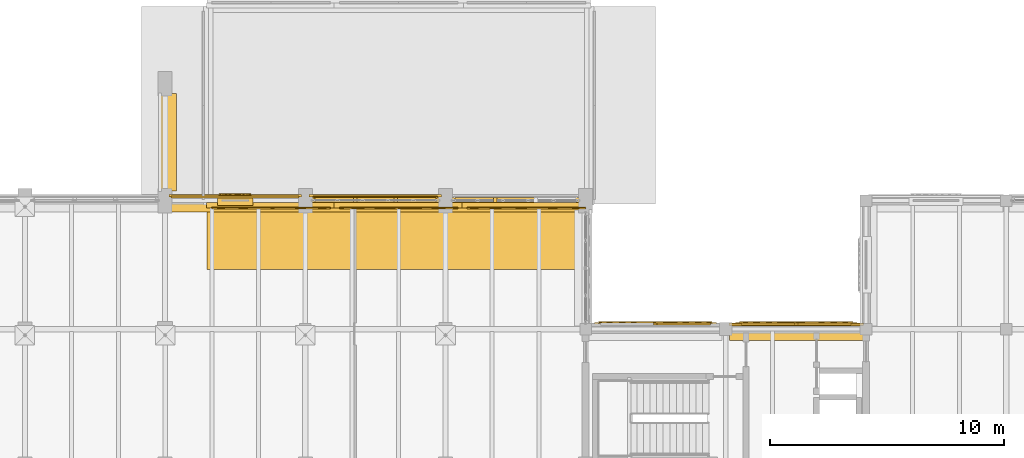
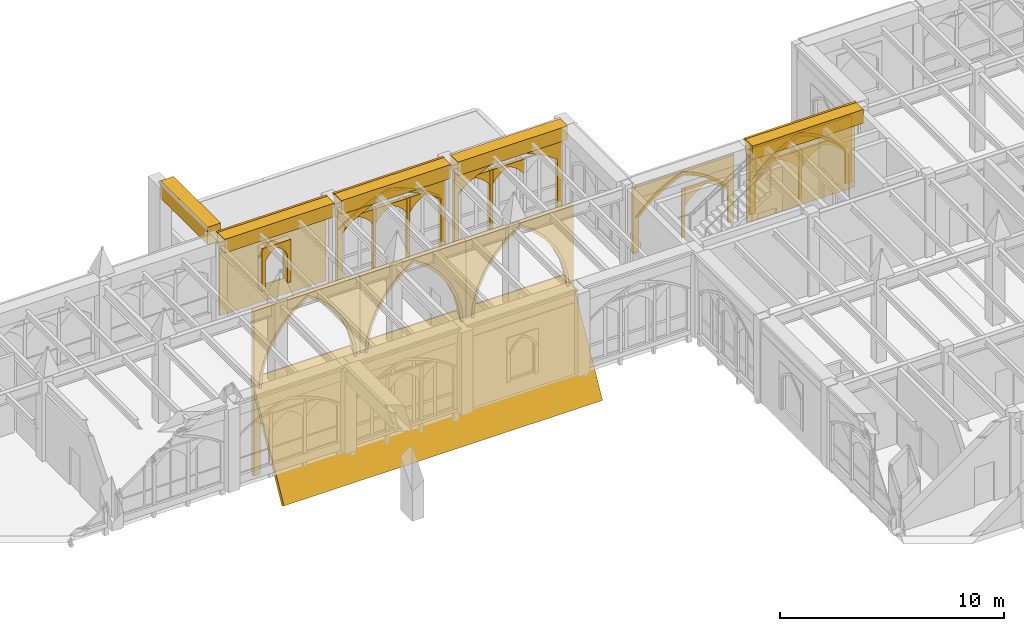
# One storey, part 134 of 143: 39 coverings.
"""IFC4 building model written with IfcOpenShell, lengths in metres."""

from ifc_helpers import new_model, si_unit, direction, frame, origin, origin_2d, place, context, subcontext, project, spatial, polyline, rectangle, outline, extrude, material, type_object, element, save


model = new_model("IFC4")

# Units and contexts
model_context = context("Model", 3, precision=1e-05, world=origin(), true_north=direction((0.0, 1.0)))
body_context = subcontext(model_context, "Body", "Model", "MODEL_VIEW")
ifc_project = project(units=[si_unit("LENGTHUNIT", "METRE"), si_unit("AREAUNIT", "SQUARE_METRE"), si_unit("VOLUMEUNIT", "CUBIC_METRE"), si_unit("PLANEANGLEUNIT", "RADIAN"), si_unit("MASSUNIT", "GRAM", prefix="KILO")], contexts=[model_context])

# Site, building, storey
site_placement = place(None, origin())
site = spatial("IfcSite", under=ifc_project, at=site_placement, CompositionType="ELEMENT")
building_placement = place(site_placement, origin())
building = spatial("IfcBuilding", under=site, at=building_placement, Name="Cumevento Cable Car Station", CompositionType="ELEMENT")
storey_placement = place(building_placement, frame((0.0, 0.0, 9.0)))
storey = spatial("IfcBuildingStorey", under=building, at=storey_placement, Name="L03", CompositionType="ELEMENT", Elevation=9.0)

# Coverings
ifc_material = material(Name="Gnaisse Facoidal Stone Ashlar 85 MPa", Category="masonry")
covering_type = type_object("IfcCoveringType", Name="Gnaisse Ashlar Cladding CV-CL01", PredefinedType="CLADDING", material=ifc_material)
covering_1_placement = place(storey_placement, frame((103.0, 56.35009765625, 3.784912109375), z_axis=(0.0, 0.0, 1.0), x_axis=(1.0, 0.0, 0.0)))
element("IfcCovering", 1, at=covering_1_placement, inside=storey, type_object=covering_type, Name="Gothic Stone Spandrel Stringcourse sc:0654", PredefinedType="CLADDING", context=body_context, shape_type="SweptSolid", body=[
    extrude(rectangle(XDim=5.639892578125, YDim=0.659912109375, at=origin_2d()), origin(), (0.0, 0.0, 1.0), 0.7470703125),
])
covering_2_placement = place(storey_placement, frame((103.0, 56.70751953125, 4.402099609375), z_axis=(0.0, 0.0, 1.0), x_axis=(1.0, 0.0, 0.0)))
element("IfcCovering", 2, at=covering_2_placement, inside=storey, type_object=covering_type, Name="Gothic Cornice Dripstone Lip sc:0654", PredefinedType="CLADDING", context=body_context, shape_type="SweptSolid", body=[
    extrude(rectangle(XDim=5.679931640625, YDim=0.114990234375, at=origin_2d()), origin(), (0.0, 0.0, 1.0), 0.1298828125),
])
covering_3_placement = place(storey_placement, frame((109.0, 56.35009765625, 3.784912109375), z_axis=(0.0, 0.0, 1.0), x_axis=(1.0, 0.0, 0.0)))
element("IfcCovering", 3, at=covering_3_placement, inside=storey, type_object=covering_type, Name="Gothic Stone Spandrel Stringcourse sc:0655", PredefinedType="CLADDING", context=body_context, shape_type="SweptSolid", body=[
    extrude(rectangle(XDim=5.639892578125, YDim=0.659912109375, at=origin_2d()), origin(), (0.0, 0.0, 1.0), 0.7470703125),
])
covering_4_placement = place(storey_placement, frame((109.0, 56.70751953125, 4.402099609375), z_axis=(0.0, 0.0, 1.0), x_axis=(1.0, 0.0, 0.0)))
element("IfcCovering", 4, at=covering_4_placement, inside=storey, type_object=covering_type, Name="Gothic Cornice Dripstone Lip sc:0655", PredefinedType="CLADDING", context=body_context, shape_type="SweptSolid", body=[
    extrude(rectangle(XDim=5.679931640625, YDim=0.114990234375, at=origin_2d()), origin(), (0.0, 0.0, 1.0), 0.1298828125),
])
covering_5_placement = place(storey_placement, frame((115.0, 56.35009765625, 3.784912109375), z_axis=(0.0, 0.0, 1.0), x_axis=(1.0, 0.0, 0.0)))
element("IfcCovering", 5, at=covering_5_placement, inside=storey, type_object=covering_type, Name="Gothic Stone Spandrel Stringcourse sc:0656", PredefinedType="CLADDING", context=body_context, shape_type="SweptSolid", body=[
    extrude(rectangle(XDim=5.639892578125, YDim=0.659912109375, at=origin_2d()), origin(), (0.0, 0.0, 1.0), 0.7470703125),
])
covering_6_placement = place(storey_placement, frame((127.012451171875, 50.85009765625, 3.796875), z_axis=(0.0, 0.0, 1.0), x_axis=(1.0, 0.0, 0.0)))
element("IfcCovering", 6, at=covering_6_placement, inside=storey, type_object=covering_type, Name="Gothic Stone Spandrel Stringcourse sc:0692", PredefinedType="CLADDING", context=body_context, shape_type="SweptSolid", body=[
    extrude(rectangle(XDim=5.715087890625, YDim=0.659912109375, at=origin_2d()), origin(), (0.0, 0.0, 1.0), 0.7470703125),
])
covering_7_placement = place(storey_placement, frame((127.012451171875, 51.20751953125, 4.4140625), z_axis=(0.0, 0.0, 1.0), x_axis=(1.0, 0.0, 0.0)))
element("IfcCovering", 7, at=covering_7_placement, inside=storey, type_object=covering_type, Name="Gothic Cornice Dripstone Lip sc:0692", PredefinedType="CLADDING", context=body_context, shape_type="SweptSolid", body=[
    extrude(rectangle(XDim=5.7548828125, YDim=0.114990234375, at=origin_2d()), origin(), (0.0, 0.0, 1.0), 0.1298828125),
])
covering_8_placement = place(storey_placement, frame((100.14306640625, 59.0, 3.83203125), z_axis=(0.0, 0.0, 1.0), x_axis=(0.0, 1.0, 0.0)))
element("IfcCovering", 8, at=covering_8_placement, inside=storey, type_object=covering_type, Name="Gothic Stone Spandrel Stringcourse sc:0859", PredefinedType="CLADDING", context=body_context, shape_type="SweptSolid", body=[
    extrude(rectangle(XDim=4.18994140625, YDim=0.674072265625, at=origin_2d()), origin(), (0.0, 0.0, 1.0), 0.947998046875),
])
placement_1 = place(storey_placement, frame((106.300048828125, 56.5, -0.469970703125), z_axis=(0.0, 0.0, 1.0), x_axis=(1.0, 0.0, 0.0)))
element("IfcCovering", 9, at=placement_1, inside=storey, type_object=covering_type, Name="Gothic Ogival Pointed-Arch Stone Spandrel cw_ogival:0113", PredefinedType="CLADDING", context=body_context, shape_type="SweptSolid", body=[
    extrude(outline(polyline([(-0.080078125, 0.0), (-0.080078125, 4.39501953125), (5.47998046875, 4.39501953125), (5.47998046875, 0.0), (5.239990234375, 0.0), (5.239990234375, 3.00634765625), (4.951416015625, 3.209716796875), (4.653076171875, 3.398193359375), (4.345703125, 3.5712890625), (4.030029296875, 3.72900390625), (3.70654296875, 3.870361328125), (3.376708984375, 3.995361328125), (3.040771484375, 4.103759765625), (2.699951171875, 4.195068359375), (2.359130859375, 4.103759765625), (2.023193359375, 3.995361328125), (1.693359375, 3.870361328125), (1.369873046875, 3.72900390625), (1.05419921875, 3.5712890625), (0.746826171875, 3.398193359375), (0.448486328125, 3.209716796875), (0.159912109375, 3.00634765625), (0.159912109375, 0.0), (-0.080078125, 0.0)])), frame((0.0, 0.139892578125, 0.0), z_axis=(0.0, -1.0, 0.0), x_axis=(1.0, 0.0, 0.0)), (0.0, 0.0, 1.0), 0.219970703125),
])
covering_10_placement = place(storey_placement, frame((106.300048828125, 56.5, 2.536376953125), z_axis=(0.0, 0.0, 1.0), x_axis=(1.0, 0.0, 0.0)))
element("IfcCovering", 10, at=covering_10_placement, inside=storey, type_object=covering_type, Name="Gothic Pointed Archivolt Hood Moulding cw_ogival:0113", PredefinedType="CLADDING", context=body_context, shape_type="SweptSolid", body=[
    extrude(outline(polyline([(0.159912109375, 0.0), (0.448486328125, 0.203369140625), (0.746826171875, 0.391845703125), (1.05419921875, 0.56494140625), (1.369873046875, 0.72265625), (1.693359375, 0.864013671875), (2.023193359375, 0.989013671875), (2.359130859375, 1.097412109375), (2.699951171875, 1.188720703125), (3.040771484375, 1.097412109375), (3.376708984375, 0.989013671875), (3.70654296875, 0.864013671875), (4.030029296875, 0.72265625), (4.345703125, 0.56494140625), (4.653076171875, 0.391845703125), (4.951416015625, 0.203369140625), (5.239990234375, 0.0), (5.35009765625, 0.0), (5.052978515625, 0.22607421875), (4.744384765625, 0.43603515625), (4.425048828125, 0.629150390625), (4.095947265625, 0.804931640625), (3.7578125, 0.963134765625), (3.411865234375, 1.102783203125), (3.058837890625, 1.223876953125), (2.699951171875, 1.326171875), (2.341064453125, 1.223876953125), (1.988037109375, 1.102783203125), (1.64208984375, 0.963134765625), (1.303955078125, 0.804931640625), (0.974853515625, 0.629150390625), (0.655517578125, 0.43603515625), (0.346923828125, 0.22607421875), (0.050048828125, 0.0), (0.159912109375, 0.0)])), frame((0.0, 0.181884765625, 0.0), z_axis=(0.0, -1.0, 0.0), x_axis=(1.0, 0.0, 0.0)), (0.0, 0.0, 1.0), 0.06689453125),
])
element("IfcCovering", 11, at=placement_1, inside=storey, type_object=covering_type, Name="Gothic Bifora Stone Colonnette cw_ogival:0113 #1", PredefinedType="CLADDING", context=body_context, shape_type="SweptSolid", body=[
    extrude(outline(polyline([(1.75341796875, -0.02001953125), (1.9033203125, -0.02001953125), (1.9033203125, 3.62451171875), (1.75341796875, 3.62451171875), (1.75341796875, -0.02001953125)])), frame((0.0, 0.1279296875, 0.0), z_axis=(0.0, -1.0, 0.0), x_axis=(1.0, 0.0, 0.0)), (0.0, 0.0, 1.0), 0.205078125),
])
element("IfcCovering", 12, at=placement_1, inside=storey, type_object=covering_type, Name="Gothic Bifora Stone Colonnette cw_ogival:0113 #2", PredefinedType="CLADDING", context=body_context, shape_type="SweptSolid", body=[
    extrude(outline(polyline([(3.49658203125, -0.02001953125), (3.646728515625, -0.02001953125), (3.646728515625, 3.62451171875), (3.49658203125, 3.62451171875), (3.49658203125, -0.02001953125)])), frame((0.0, 0.1279296875, 0.0), z_axis=(0.0, -1.0, 0.0), x_axis=(1.0, 0.0, 0.0)), (0.0, 0.0, 1.0), 0.205078125),
])
for number, where, z_axis, x_axis, name in (
    (13, (106.429931640625, 56.5, 2.3564453125), (0.0, 0.0, 1.0), (1.0, 0.0, 0.0), "Gothic Ogival Pointed-Arch Stone Spandrel cw_ogival:0113:sub:0"),
    (14, (108.17333984375, 56.5, 2.3564453125), (0.0, 0.0, 1.0), (1.0, 0.0, 0.0), "Gothic Ogival Pointed-Arch Stone Spandrel cw_ogival:0113:sub:1"),
    (15, (109.916748046875, 56.5, 2.3564453125), (0.0, 0.0, 1.0), (1.0, 0.0, 0.0), "Gothic Ogival Pointed-Arch Stone Spandrel cw_ogival:0113:sub:2"),
):
    element("IfcCovering", number, at=place(storey_placement, frame(where, z_axis=z_axis, x_axis=x_axis)), inside=storey, type_object=covering_type, Name=name, PredefinedType="CLADDING", context=body_context, shape_type="SweptSolid", body=[
        extrude(outline(polyline([(-0.02001953125, 0.0), (-0.02001953125, 0.798095703125), (1.67333984375, 0.798095703125), (1.67333984375, 0.0), (1.61328125, 0.0), (1.515869140625, 0.146728515625), (1.40283203125, 0.281982421875), (1.27587890625, 0.404052734375), (1.136474609375, 0.511474609375), (0.986083984375, 0.603271484375), (0.82666015625, 0.677978515625), (0.667236328125, 0.603271484375), (0.516845703125, 0.511474609375), (0.37744140625, 0.404052734375), (0.25048828125, 0.281982421875), (0.137451171875, 0.146728515625), (0.0400390625, 0.0), (-0.02001953125, 0.0)])), frame((0.0, 0.1240234375, 0.0), z_axis=(0.0, -1.0, 0.0), x_axis=(1.0, 0.0, 0.0)), (0.0, 0.0, 1.0), 0.199951171875),
    ])
placement_2 = place(storey_placement, frame((112.300048828125, 56.5, -0.3701171875), z_axis=(0.0, 0.0, 1.0), x_axis=(1.0, 0.0, 0.0)))
element("IfcCovering", 16, at=placement_2, inside=storey, type_object=covering_type, Name="Gothic Ogival Pointed-Arch Stone Spandrel cw_ogival:0115", PredefinedType="CLADDING", context=body_context, shape_type="SweptSolid", body=[
    extrude(outline(polyline([(-0.080078125, 0.0), (-0.080078125, 4.294921875), (5.47998046875, 4.294921875), (5.47998046875, 0.0), (5.239990234375, 0.0), (5.239990234375, 2.9423828125), (4.94970703125, 3.1396484375), (4.650390625, 3.32275390625), (4.342529296875, 3.49072265625), (4.026611328125, 3.6435546875), (3.70361328125, 3.780517578125), (3.374267578125, 3.90185546875), (3.03955078125, 4.006591796875), (2.699951171875, 4.094970703125), (2.3603515625, 4.006591796875), (2.025634765625, 3.90185546875), (1.6962890625, 3.780517578125), (1.373291015625, 3.6435546875), (1.057373046875, 3.49072265625), (0.74951171875, 3.32275390625), (0.4501953125, 3.1396484375), (0.159912109375, 2.9423828125), (0.159912109375, 0.0), (-0.080078125, 0.0)])), frame((0.0, 0.139892578125, 0.0), z_axis=(0.0, -1.0, 0.0), x_axis=(1.0, 0.0, 0.0)), (0.0, 0.0, 1.0), 0.219970703125),
])
element("IfcCovering", 17, at=placement_2, inside=storey, type_object=covering_type, Name="Gothic Bifora Stone Colonnette cw_ogival:0115 #1", PredefinedType="CLADDING", context=body_context, shape_type="SweptSolid", body=[
    extrude(outline(polyline([(1.75341796875, -0.02001953125), (1.9033203125, -0.02001953125), (1.9033203125, 3.541748046875), (1.75341796875, 3.541748046875), (1.75341796875, -0.02001953125)])), frame((0.0, 0.1279296875, 0.0), z_axis=(0.0, -1.0, 0.0), x_axis=(1.0, 0.0, 0.0)), (0.0, 0.0, 1.0), 0.205078125),
])
for number, where, z_axis, x_axis, name in (
    (18, (112.429931640625, 56.5, 2.392333984375), (0.0, 0.0, 1.0), (1.0, 0.0, 0.0), "Gothic Ogival Pointed-Arch Stone Spandrel cw_ogival:0115:sub:0"),
    (19, (114.17333984375, 56.5, 2.392333984375), (0.0, 0.0, 1.0), (1.0, 0.0, 0.0), "Gothic Ogival Pointed-Arch Stone Spandrel cw_ogival:0115:sub:1"),
):
    element("IfcCovering", number, at=place(storey_placement, frame(where, z_axis=z_axis, x_axis=x_axis)), inside=storey, type_object=covering_type, Name=name, PredefinedType="CLADDING", context=body_context, shape_type="SweptSolid", body=[
        extrude(outline(polyline([(-0.02001953125, 0.0), (-0.02001953125, 0.779296875), (1.67333984375, 0.779296875), (1.67333984375, 0.0), (1.61328125, 0.0), (1.51416015625, 0.14306640625), (1.400390625, 0.274658203125), (1.2734375, 0.393310546875), (1.13427734375, 0.497802734375), (0.98486328125, 0.5869140625), (0.82666015625, 0.659423828125), (0.66845703125, 0.5869140625), (0.51904296875, 0.497802734375), (0.3798828125, 0.393310546875), (0.2529296875, 0.274658203125), (0.13916015625, 0.14306640625), (0.0400390625, 0.0), (-0.02001953125, 0.0)])), frame((0.0, 0.1240234375, 0.0), z_axis=(0.0, -1.0, 0.0), x_axis=(1.0, 0.0, 0.0)), (0.0, 0.0, 1.0), 0.199951171875),
    ])
covering_15_placement = place(storey_placement, frame((100.300048828125, 56.5, 0.0), z_axis=(0.0, 0.0, 1.0), x_axis=(1.0, 0.0, 0.0)))
element("IfcCovering", 20, at=covering_15_placement, inside=storey, type_object=covering_type, Name="Exterior Gnaisse Stone Wall Ashlar #248", PredefinedType="CLADDING", context=body_context, shape_type="SweptSolid", body=[
    extrude(outline(polyline([(-0.0400390625, -0.02001953125), (5.43994140625, -0.02001953125), (5.43994140625, 3.864990234375), (-0.0400390625, 3.864990234375), (-0.0400390625, -0.02001953125)]), holes=[polyline([(2.135009765625, 0.860107421875), (3.264892578125, 0.860107421875), (3.264892578125, 2.889892578125), (2.135009765625, 2.889892578125), (2.135009765625, 0.860107421875)])]), frame((0.0, 0.20751953125, 0.0), z_axis=(0.0, -1.0, 0.0), x_axis=(1.0, 0.0, 0.0)), (0.0, 0.0, 1.0), 0.0849609375),
])
covering_16_placement = place(storey_placement, frame((102.284912109375, 56.5, 0.800048828125), z_axis=(0.0, 0.0, 1.0), x_axis=(1.0, 0.0, 0.0)))
element("IfcCovering", 21, at=covering_16_placement, inside=storey, type_object=covering_type, Name="Gothic Ogival Pointed-Arch Stone Spandrel op_ogival:0248:1", PredefinedType="CLADDING", context=body_context, shape_type="SweptSolid", body=[
    extrude(outline(polyline([(-0.0400390625, 0.0), (-0.0400390625, 2.320068359375), (1.469970703125, 2.320068359375), (1.469970703125, 0.0), (1.2900390625, 0.0), (1.2900390625, 1.52587890625), (1.23876953125, 1.6376953125), (1.17578125, 1.743408203125), (1.101806640625, 1.841796875), (1.017578125, 1.931396484375), (0.92431640625, 2.01171875), (0.8232421875, 2.081298828125), (0.715087890625, 2.139892578125), (0.606689453125, 2.081298828125), (0.505615234375, 2.01171875), (0.412353515625, 1.931396484375), (0.328125, 1.841796875), (0.254150390625, 1.743408203125), (0.191162109375, 1.6376953125), (0.139892578125, 1.52587890625), (0.139892578125, 0.0), (-0.0400390625, 0.0)])), frame((0.0, 0.24560546875, 0.0), z_axis=(0.0, -1.0, 0.0), x_axis=(1.0, 0.0, 0.0)), (0.0, 0.0, 1.0), 0.445068359375),
])
covering_17_placement = place(storey_placement, frame((102.284912109375, 56.5, 2.325927734375), z_axis=(0.0, 0.0, 1.0), x_axis=(1.0, 0.0, 0.0)))
element("IfcCovering", 22, at=covering_17_placement, inside=storey, type_object=covering_type, Name="Gothic Pointed Archivolt Hood Moulding op_ogival:0248:1", PredefinedType="CLADDING", context=body_context, shape_type="SweptSolid", body=[
    extrude(outline(polyline([(0.139892578125, 0.0), (0.191162109375, 0.11181640625), (0.254150390625, 0.217529296875), (0.328125, 0.315673828125), (0.412353515625, 0.405517578125), (0.505615234375, 0.48583984375), (0.606689453125, 0.555419921875), (0.715087890625, 0.614013671875), (0.8232421875, 0.555419921875), (0.92431640625, 0.48583984375), (1.017578125, 0.405517578125), (1.101806640625, 0.315673828125), (1.17578125, 0.217529296875), (1.23876953125, 0.11181640625), (1.2900390625, 0.0), (1.388916015625, 0.0), (1.330322265625, 0.134033203125), (1.25732421875, 0.2607421875), (1.171142578125, 0.378662109375), (1.072509765625, 0.486572265625), (0.962646484375, 0.583251953125), (0.843017578125, 0.667236328125), (0.715087890625, 0.73779296875), (0.5869140625, 0.667236328125), (0.46728515625, 0.583251953125), (0.357421875, 0.486572265625), (0.2587890625, 0.378662109375), (0.172607421875, 0.2607421875), (0.099609375, 0.134033203125), (0.041015625, 0.0), (0.139892578125, 0.0)])), frame((0.0, 0.28759765625, 0.0), z_axis=(0.0, -1.0, 0.0), x_axis=(1.0, 0.0, 0.0)), (0.0, 0.0, 1.0), 0.06689453125),
])
placement_3 = place(storey_placement, frame((118.429931640625, 51.0, 0.300048828125), z_axis=(0.0, 0.0, 1.0), x_axis=(1.0, 0.0, 0.0)))
element("IfcCovering", 23, at=placement_3, inside=storey, type_object=covering_type, Name="Gothic Ogival Pointed-Arch Stone Spandrel blind_ogival:0259", PredefinedType="CLADDING", context=body_context, shape_type="SweptSolid", body=[
    extrude(outline(polyline([(-0.050048828125, 0.0), (-0.050048828125, 3.5849609375), (5.1650390625, 3.5849609375), (5.1650390625, 0.0), (4.85498046875, 0.0), (4.85498046875, 1.853271484375), (4.581298828125, 2.1416015625), (4.286376953125, 2.408203125), (3.971923828125, 2.6513671875), (3.639892578125, 2.869873046875), (3.2919921875, 3.0625), (2.9306640625, 3.227783203125), (2.5576171875, 3.364990234375), (2.184326171875, 3.227783203125), (1.822998046875, 3.0625), (1.47509765625, 2.869873046875), (1.14306640625, 2.6513671875), (0.82861328125, 2.408203125), (0.53369140625, 2.1416015625), (0.260009765625, 1.853271484375), (0.260009765625, 0.0), (-0.050048828125, 0.0)])), frame((0.0, 0.277587890625, 0.0), z_axis=(0.0, -1.0, 0.0), x_axis=(1.0, 0.0, 0.0)), (0.0, 0.0, 1.0), 0.110107421875),
])
covering_19_placement = place(storey_placement, frame((118.429931640625, 51.0, 2.1533203125), z_axis=(0.0, 0.0, 1.0), x_axis=(1.0, 0.0, 0.0)))
element("IfcCovering", 24, at=covering_19_placement, inside=storey, type_object=covering_type, Name="Gothic Pointed Archivolt Hood Moulding blind_ogival:0259", PredefinedType="CLADDING", context=body_context, shape_type="SweptSolid", body=[
    extrude(outline(polyline([(0.260009765625, 0.0), (0.53369140625, 0.288330078125), (0.82861328125, 0.554931640625), (1.14306640625, 0.798095703125), (1.47509765625, 1.0166015625), (1.822998046875, 1.209228515625), (2.184326171875, 1.37451171875), (2.5576171875, 1.51171875), (2.9306640625, 1.37451171875), (3.2919921875, 1.209228515625), (3.639892578125, 1.0166015625), (3.971923828125, 0.798095703125), (4.286376953125, 0.554931640625), (4.581298828125, 0.288330078125), (4.85498046875, 0.0), (4.97607421875, 0.0), (4.692626953125, 0.316162109375), (4.385009765625, 0.60888671875), (4.05517578125, 0.87646484375), (3.705322265625, 1.116943359375), (3.337646484375, 1.3291015625), (2.9541015625, 1.511474609375), (2.5576171875, 1.6630859375), (2.160888671875, 1.511474609375), (1.77734375, 1.3291015625), (1.40966796875, 1.116943359375), (1.059814453125, 0.87646484375), (0.72998046875, 0.60888671875), (0.42236328125, 0.316162109375), (0.138916015625, 0.0), (0.260009765625, 0.0)])), frame((0.0, 0.319580078125, 0.0), z_axis=(0.0, -1.0, 0.0), x_axis=(1.0, 0.0, 0.0)), (0.0, 0.0, 1.0), 0.06689453125),
])
element("IfcCovering", 25, at=placement_3, inside=storey, type_object=covering_type, Name="Gothic Bifora Stone Colonnette blind_ogival:0259 #1", PredefinedType="CLADDING", context=body_context, shape_type="SweptSolid", body=[
    extrude(outline(polyline([(2.482421875, -0.02001953125), (2.632568359375, -0.02001953125), (2.632568359375, 2.639404296875), (2.482421875, 2.639404296875), (2.482421875, -0.02001953125)])), frame((0.0, 0.265380859375, 0.0), z_axis=(0.0, -1.0, 0.0), x_axis=(1.0, 0.0, 0.0)), (0.0, 0.0, 1.0), 0.094970703125),
])
covering_21_placement = place(storey_placement, frame((121.032470703125, 51.0, 1.97314453125), z_axis=(0.0, 0.0, 1.0), x_axis=(1.0, 0.0, 0.0)))
element("IfcCovering", 26, at=covering_21_placement, inside=storey, type_object=covering_type, Name="Gothic Ogival Pointed-Arch Stone Spandrel blind_ogival:0259:sub:1", PredefinedType="CLADDING", context=body_context, shape_type="SweptSolid", body=[
    extrude(outline(polyline([(-0.02001953125, 0.0), (-0.02001953125, 0.966064453125), (2.302490234375, 0.966064453125), (2.302490234375, 0.0), (2.242431640625, 0.0), (2.09765625, 0.184814453125), (1.934814453125, 0.354248046875), (1.756103515625, 0.506591796875), (1.562744140625, 0.64013671875), (1.357177734375, 0.753662109375), (1.141357421875, 0.84619140625), (0.92529296875, 0.753662109375), (0.7197265625, 0.64013671875), (0.5263671875, 0.506591796875), (0.34765625, 0.354248046875), (0.184814453125, 0.184814453125), (0.0400390625, 0.0), (-0.02001953125, 0.0)])), frame((0.0, 0.261474609375, 0.0), z_axis=(0.0, -1.0, 0.0), x_axis=(1.0, 0.0, 0.0)), (0.0, 0.0, 1.0), 0.090087890625),
])
covering_22_placement = place(storey_placement, frame((124.27490234375, 51.0, 0.0), z_axis=(0.0, 0.0, 1.0), x_axis=(1.0, 0.0, 0.0)))
element("IfcCovering", 27, at=covering_22_placement, inside=storey, type_object=covering_type, Name="Exterior Gnaisse Stone Wall Ashlar #260", PredefinedType="CLADDING", context=body_context, shape_type="SweptSolid", body=[
    extrude(outline(polyline([(-0.0400390625, -0.02001953125), (5.514892578125, -0.02001953125), (5.514892578125, 3.876953125), (-0.0400390625, 3.876953125), (-0.0400390625, -0.02001953125)])), frame((0.0, 0.222412109375, 0.0), z_axis=(0.0, -1.0, 0.0), x_axis=(1.0, 0.0, 0.0)), (0.0, 0.0, 1.0), 0.0849609375),
])
placement_4 = place(storey_placement, frame((124.455078125, 51.0, 0.300048828125), z_axis=(0.0, 0.0, 1.0), x_axis=(1.0, 0.0, 0.0)))
element("IfcCovering", 28, at=placement_4, inside=storey, type_object=covering_type, Name="Gothic Ogival Pointed-Arch Stone Spandrel blind_ogival:0260", PredefinedType="CLADDING", context=body_context, shape_type="SweptSolid", body=[
    extrude(outline(polyline([(-0.050048828125, 0.0), (-0.050048828125, 3.596923828125), (5.1650390625, 3.596923828125), (5.1650390625, 0.0), (4.85498046875, 0.0), (4.85498046875, 1.85986328125), (4.58154296875, 2.149169921875), (4.286865234375, 2.41650390625), (3.97265625, 2.66064453125), (3.640625, 2.880126953125), (3.29248046875, 3.0732421875), (2.930908203125, 3.2392578125), (2.5576171875, 3.376953125), (2.18408203125, 3.2392578125), (1.822509765625, 3.0732421875), (1.474365234375, 2.880126953125), (1.142333984375, 2.66064453125), (0.828125, 2.41650390625), (0.533447265625, 2.149169921875), (0.260009765625, 1.85986328125), (0.260009765625, 0.0), (-0.050048828125, 0.0)])), frame((0.0, 0.277587890625, 0.0), z_axis=(0.0, -1.0, 0.0), x_axis=(1.0, 0.0, 0.0)), (0.0, 0.0, 1.0), 0.110107421875),
])
covering_24_placement = place(storey_placement, frame((124.455078125, 51.0, 2.159912109375), z_axis=(0.0, 0.0, 1.0), x_axis=(1.0, 0.0, 0.0)))
element("IfcCovering", 29, at=covering_24_placement, inside=storey, type_object=covering_type, Name="Gothic Pointed Archivolt Hood Moulding blind_ogival:0260", PredefinedType="CLADDING", context=body_context, shape_type="SweptSolid", body=[
    extrude(outline(polyline([(0.260009765625, 0.0), (0.533447265625, 0.289306640625), (0.828125, 0.556640625), (1.142333984375, 0.80078125), (1.474365234375, 1.020263671875), (1.822509765625, 1.21337890625), (2.18408203125, 1.37939453125), (2.5576171875, 1.51708984375), (2.930908203125, 1.37939453125), (3.29248046875, 1.21337890625), (3.640625, 1.020263671875), (3.97265625, 0.80078125), (4.286865234375, 0.556640625), (4.58154296875, 0.289306640625), (4.85498046875, 0.0), (4.97607421875, 0.0), (4.69287109375, 0.317138671875), (4.385498046875, 0.610595703125), (4.055908203125, 0.879150390625), (3.7060546875, 1.120361328125), (3.338134765625, 1.333251953125), (2.954345703125, 1.516357421875), (2.5576171875, 1.66845703125), (2.16064453125, 1.516357421875), (1.77685546875, 1.333251953125), (1.408935546875, 1.120361328125), (1.05908203125, 0.879150390625), (0.7294921875, 0.610595703125), (0.422119140625, 0.317138671875), (0.138916015625, 0.0), (0.260009765625, 0.0)])), frame((0.0, 0.319580078125, 0.0), z_axis=(0.0, -1.0, 0.0), x_axis=(1.0, 0.0, 0.0)), (0.0, 0.0, 1.0), 0.06689453125),
])
element("IfcCovering", 30, at=placement_4, inside=storey, type_object=covering_type, Name="Gothic Bifora Stone Colonnette blind_ogival:0260 #1", PredefinedType="CLADDING", context=body_context, shape_type="SweptSolid", body=[
    extrude(outline(polyline([(2.482421875, -0.02001953125), (2.632568359375, -0.02001953125), (2.632568359375, 2.648681640625), (2.482421875, 2.648681640625), (2.482421875, -0.02001953125)])), frame((0.0, 0.265380859375, 0.0), z_axis=(0.0, -1.0, 0.0), x_axis=(1.0, 0.0, 0.0)), (0.0, 0.0, 1.0), 0.094970703125),
])
for number, where, z_axis, x_axis, name in (
    (31, (124.68505859375, 51.0, 1.97998046875), (0.0, 0.0, 1.0), (1.0, 0.0, 0.0), "Gothic Ogival Pointed-Arch Stone Spandrel blind_ogival:0260:sub:0"),
    (32, (127.0576171875, 51.0, 1.97998046875), (0.0, 0.0, 1.0), (1.0, 0.0, 0.0), "Gothic Ogival Pointed-Arch Stone Spandrel blind_ogival:0260:sub:1"),
):
    element("IfcCovering", number, at=place(storey_placement, frame(where, z_axis=z_axis, x_axis=x_axis)), inside=storey, type_object=covering_type, Name=name, PredefinedType="CLADDING", context=body_context, shape_type="SweptSolid", body=[
        extrude(outline(polyline([(-0.02001953125, 0.0), (-0.02001953125, 0.968994140625), (2.302490234375, 0.968994140625), (2.302490234375, 0.0), (2.242431640625, 0.0), (2.097900390625, 0.185546875), (1.935302734375, 0.35546875), (1.75634765625, 0.50830078125), (1.563232421875, 0.642333984375), (1.357421875, 0.75634765625), (1.141357421875, 0.848876953125), (0.925048828125, 0.75634765625), (0.71923828125, 0.642333984375), (0.526123046875, 0.50830078125), (0.34716796875, 0.35546875), (0.1845703125, 0.185546875), (0.0400390625, 0.0), (-0.02001953125, 0.0)])), frame((0.0, 0.261474609375, 0.0), z_axis=(0.0, -1.0, 0.0), x_axis=(1.0, 0.0, 0.0)), (0.0, 0.0, 1.0), 0.090087890625),
    ])
covering_26_placement = place(storey_placement, frame((107.2666015625, 56.35009765625, -9.02001953125), z_axis=(0.0, 0.0, 1.0), x_axis=(-1.0, 0.0, 0.0)))
element("IfcCovering", 33, at=covering_26_placement, inside=storey, type_object=covering_type, Name="Gothic Ogival Pointed-Arch Stone Spandrel cumevento_plinth:bank_arch:SLOPE_NE_E:S:0", PredefinedType="CLADDING", context=body_context, shape_type="SweptSolid", body=[
    extrude(outline(polyline([(-0.030029296875, 0.0), (-0.030029296875, 8.97998046875), (5.49658203125, 8.97998046875), (5.49658203125, 0.0), (5.146728515625, 0.0), (5.146728515625, 4.47998046875), (5.073486328125, 5.331787109375), (4.8564453125, 6.158935546875), (4.501708984375, 6.936767578125), (4.01953125, 7.642822265625), (3.42431640625, 8.256591796875), (2.7333984375, 8.760009765625), (2.042236328125, 8.256591796875), (1.447021484375, 7.642822265625), (0.96484375, 6.936767578125), (0.610107421875, 6.158935546875), (0.39306640625, 5.331787109375), (0.320068359375, 4.47998046875), (0.320068359375, 0.0), (-0.030029296875, 0.0)])), frame((0.0, 0.159912109375, 0.0), z_axis=(0.0, -1.0, 0.0), x_axis=(1.0, 0.0, 0.0)), (0.0, 0.0, 1.0), 0.219970703125),
])
covering_27_placement = place(storey_placement, frame((107.2666015625, 56.35009765625, -4.5400390625), z_axis=(0.0, 0.0, 1.0), x_axis=(-1.0, 0.0, 0.0)))
element("IfcCovering", 34, at=covering_27_placement, inside=storey, type_object=covering_type, Name="Gothic Pointed Archivolt Hood Moulding cumevento_plinth:bank_arch:SLOPE_NE_E:S:0", PredefinedType="CLADDING", context=body_context, shape_type="SweptSolid", body=[
    extrude(outline(polyline([(0.320068359375, 0.0), (0.39306640625, 0.851806640625), (0.610107421875, 1.678955078125), (0.96484375, 2.456787109375), (1.447021484375, 3.162841796875), (2.042236328125, 3.776611328125), (2.7333984375, 4.280029296875), (3.42431640625, 3.776611328125), (4.01953125, 3.162841796875), (4.501708984375, 2.456787109375), (4.8564453125, 1.678955078125), (5.073486328125, 0.851806640625), (5.146728515625, 0.0), (5.267578125, 0.0), (5.190673828125, 0.885986328125), (4.962158203125, 1.7451171875), (4.589111328125, 2.552490234375), (4.082763671875, 3.283203125), (3.457763671875, 3.915771484375), (2.7333984375, 4.43115234375), (2.0087890625, 3.915771484375), (1.3837890625, 3.283203125), (0.87744140625, 2.552490234375), (0.50439453125, 1.7451171875), (0.27587890625, 0.885986328125), (0.198974609375, 0.0), (0.320068359375, 0.0)])), frame((0.0, 0.201904296875, 0.0), z_axis=(0.0, -1.0, 0.0), x_axis=(1.0, 0.0, 0.0)), (0.0, 0.0, 1.0), 0.06689453125),
])
covering_28_placement = place(storey_placement, frame((112.7333984375, 56.35009765625, -9.02001953125), z_axis=(0.0, 0.0, 1.0), x_axis=(-1.0, 0.0, 0.0)))
element("IfcCovering", 35, at=covering_28_placement, inside=storey, type_object=covering_type, Name="Gothic Ogival Pointed-Arch Stone Spandrel cumevento_plinth:bank_arch:SLOPE_NE_E:S:1", PredefinedType="CLADDING", context=body_context, shape_type="SweptSolid", body=[
    extrude(outline(polyline([(-0.030029296875, 0.0), (-0.030029296875, 8.97998046875), (5.49658203125, 8.97998046875), (5.49658203125, 0.0), (5.146728515625, 0.0), (5.146728515625, 4.47998046875), (5.073486328125, 5.331787109375), (4.8564453125, 6.158935546875), (4.501708984375, 6.936767578125), (4.01953125, 7.642822265625), (3.42431640625, 8.256591796875), (2.7333984375, 8.760009765625), (2.042236328125, 8.256591796875), (1.447021484375, 7.642822265625), (0.96484375, 6.936767578125), (0.610107421875, 6.158935546875), (0.39306640625, 5.331787109375), (0.320068359375, 4.47998046875), (0.320068359375, 0.0), (-0.030029296875, 0.0)])), frame((0.0, 0.159912109375, 0.0), z_axis=(0.0, -1.0, 0.0), x_axis=(1.0, 0.0, 0.0)), (0.0, 0.0, 1.0), 0.219970703125),
])
covering_29_placement = place(storey_placement, frame((112.7333984375, 56.35009765625, -4.5400390625), z_axis=(0.0, 0.0, 1.0), x_axis=(-1.0, 0.0, 0.0)))
element("IfcCovering", 36, at=covering_29_placement, inside=storey, type_object=covering_type, Name="Gothic Pointed Archivolt Hood Moulding cumevento_plinth:bank_arch:SLOPE_NE_E:S:1", PredefinedType="CLADDING", context=body_context, shape_type="SweptSolid", body=[
    extrude(outline(polyline([(0.320068359375, 0.0), (0.39306640625, 0.851806640625), (0.610107421875, 1.678955078125), (0.96484375, 2.456787109375), (1.447021484375, 3.162841796875), (2.042236328125, 3.776611328125), (2.7333984375, 4.280029296875), (3.42431640625, 3.776611328125), (4.01953125, 3.162841796875), (4.501708984375, 2.456787109375), (4.8564453125, 1.678955078125), (5.073486328125, 0.851806640625), (5.146728515625, 0.0), (5.267578125, 0.0), (5.190673828125, 0.885986328125), (4.962158203125, 1.7451171875), (4.589111328125, 2.552490234375), (4.082763671875, 3.283203125), (3.457763671875, 3.915771484375), (2.7333984375, 4.43115234375), (2.0087890625, 3.915771484375), (1.3837890625, 3.283203125), (0.87744140625, 2.552490234375), (0.50439453125, 1.7451171875), (0.27587890625, 0.885986328125), (0.198974609375, 0.0), (0.320068359375, 0.0)])), frame((0.0, 0.201904296875, 0.0), z_axis=(0.0, -1.0, 0.0), x_axis=(1.0, 0.0, 0.0)), (0.0, 0.0, 1.0), 0.06689453125),
])
covering_30_placement = place(storey_placement, frame((118.199951171875, 56.35009765625, -9.02001953125), z_axis=(0.0, 0.0, 1.0), x_axis=(-1.0, 0.0, 0.0)))
element("IfcCovering", 37, at=covering_30_placement, inside=storey, type_object=covering_type, Name="Gothic Ogival Pointed-Arch Stone Spandrel cumevento_plinth:bank_arch:SLOPE_NE_E:S:2", PredefinedType="CLADDING", context=body_context, shape_type="SweptSolid", body=[
    extrude(outline(polyline([(-0.030029296875, 0.0), (-0.030029296875, 8.97998046875), (5.49658203125, 8.97998046875), (5.49658203125, 0.0), (5.146728515625, 0.0), (5.146728515625, 4.47998046875), (5.073486328125, 5.331787109375), (4.8564453125, 6.158935546875), (4.501708984375, 6.936767578125), (4.01953125, 7.642822265625), (3.42431640625, 8.256591796875), (2.7333984375, 8.760009765625), (2.042236328125, 8.256591796875), (1.447021484375, 7.642822265625), (0.96484375, 6.936767578125), (0.610107421875, 6.158935546875), (0.39306640625, 5.331787109375), (0.320068359375, 4.47998046875), (0.320068359375, 0.0), (-0.030029296875, 0.0)])), frame((0.0, 0.159912109375, 0.0), z_axis=(0.0, -1.0, 0.0), x_axis=(1.0, 0.0, 0.0)), (0.0, 0.0, 1.0), 0.219970703125),
])
covering_31_placement = place(storey_placement, frame((118.199951171875, 56.35009765625, -4.5400390625), z_axis=(0.0, 0.0, 1.0), x_axis=(-1.0, 0.0, 0.0)))
element("IfcCovering", 38, at=covering_31_placement, inside=storey, type_object=covering_type, Name="Gothic Pointed Archivolt Hood Moulding cumevento_plinth:bank_arch:SLOPE_NE_E:S:2", PredefinedType="CLADDING", context=body_context, shape_type="SweptSolid", body=[
    extrude(outline(polyline([(0.320068359375, 0.0), (0.39306640625, 0.851806640625), (0.610107421875, 1.678955078125), (0.96484375, 2.456787109375), (1.447021484375, 3.162841796875), (2.042236328125, 3.776611328125), (2.7333984375, 4.280029296875), (3.42431640625, 3.776611328125), (4.01953125, 3.162841796875), (4.501708984375, 2.456787109375), (4.8564453125, 1.678955078125), (5.073486328125, 0.851806640625), (5.146728515625, 0.0), (5.267578125, 0.0), (5.190673828125, 0.885986328125), (4.962158203125, 1.7451171875), (4.589111328125, 2.552490234375), (4.082763671875, 3.283203125), (3.457763671875, 3.915771484375), (2.7333984375, 4.43115234375), (2.0087890625, 3.915771484375), (1.3837890625, 3.283203125), (0.87744140625, 2.552490234375), (0.50439453125, 1.7451171875), (0.27587890625, 0.885986328125), (0.198974609375, 0.0), (0.320068359375, 0.0)])), frame((0.0, 0.201904296875, 0.0), z_axis=(0.0, -1.0, 0.0), x_axis=(1.0, 0.0, 0.0)), (0.0, 0.0, 1.0), 0.06689453125),
])
covering_32_placement = place(storey_placement, frame((101.800048828125, 53.550048828125, -9.0400390625), z_axis=(0.0, -0.876757124685, 0.480933409439), x_axis=(1.0, 0.0, 0.0)))
element("IfcCovering", 39, at=covering_32_placement, inside=storey, type_object=covering_type, Name="Sloped Gnaisse Hillside Talus SLOPE_NE_E S", PredefinedType="CLADDING", context=body_context, shape_type="SweptSolid", body=[
    extrude(outline(polyline([(0.0, 0.0), (16.39990234375, 0.0), (16.39990234375, 5.946484950148968), (0.0, 5.946484950148968), (0.0, 0.0)])), origin(), (0.0, 0.0, -1.0), 0.219970703125),
])

save(model, "model.ifc")
